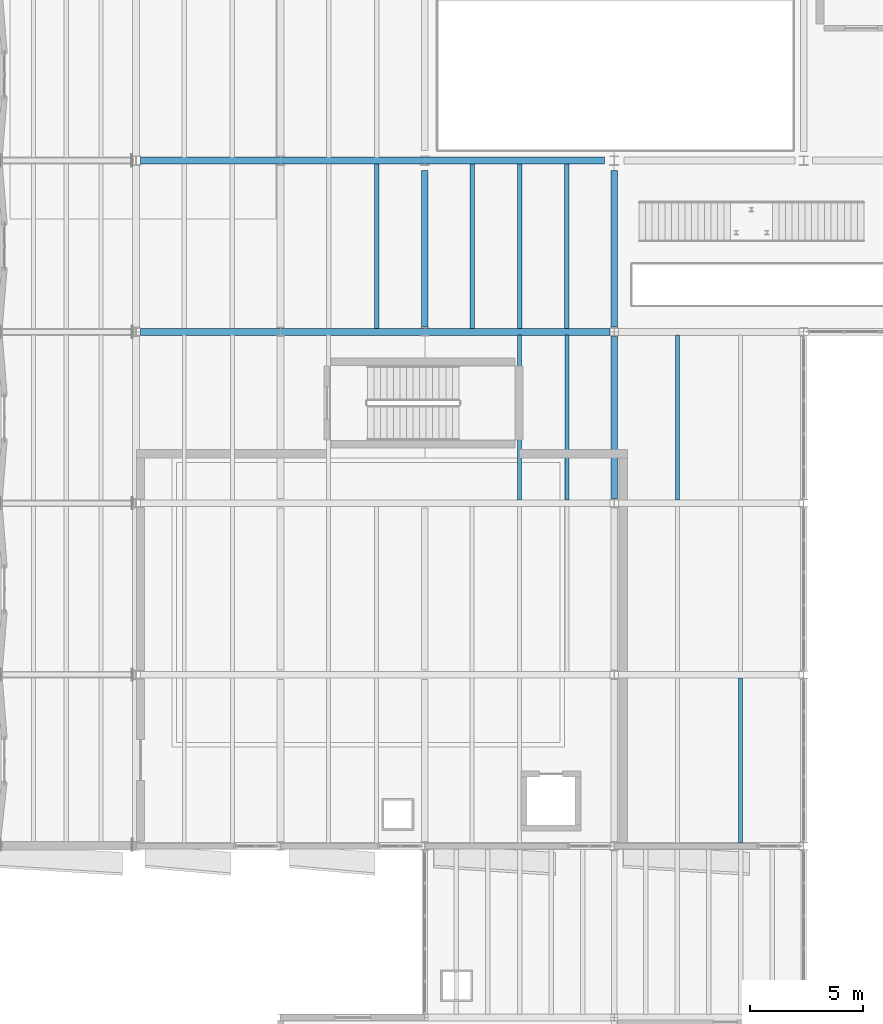
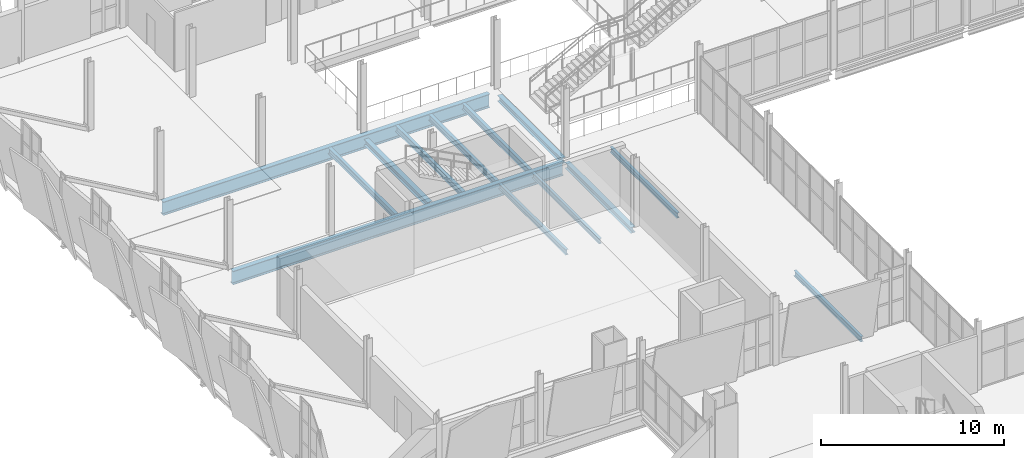
# One storey, part 36 of 172: 13 beams.
"""IFC4 building model written with IfcOpenShell, lengths in metres."""

import ifcopenshell
import ifcopenshell.guid

model = None  # the IFC model being written
_history = None  # IfcOwnerHistory: only IFC2X3 demands one
_inside = {}  # id of a spatial element -> (the spatial element, [elements in it])
_under = {}  # id of a project, library or spatial element -> (it, [spatial elements below it])
_declared = {}  # id of a project -> (the project, [libraries it declares])
_typed = {}  # id of a type object -> (the type object, [elements of that type])
_made_of = {}  # id of a material, layer set ... -> (it, [elements and type objects made of it])


def new_model(schema):
    """Start an empty IFC model of exactly this schema.

    Asked for "IFC4X3", IfcOpenShell would pick the latest addendum, in which some entities
    have other attributes; the version numbers below select the first issue.
    IFC2X3 requires an IfcOwnerHistory on every rooted entity: one is made here for all.
    """
    global model, _history
    if schema == "IFC4X3":
        model = ifcopenshell.file(schema_version=(4, 3, 0, 0))
    else:
        model = ifcopenshell.file(schema=schema)
    _inside.clear()
    _under.clear()
    _declared.clear()
    _typed.clear()
    _made_of.clear()
    _history = None
    if model.schema == "IFC2X3":
        org = make("IfcOrganization", Name="unknown")
        user = make(
            "IfcPersonAndOrganization",
            ThePerson=make("IfcPerson", FamilyName="unknown"),
            TheOrganization=org,
        )
        app = make(
            "IfcApplication",
            ApplicationDeveloper=org,
            Version="unknown",
            ApplicationFullName="unknown",
            ApplicationIdentifier="unknown",
        )
        _history = make(
            "IfcOwnerHistory",
            OwningUser=user,
            OwningApplication=app,
            ChangeAction="ADDED",
            CreationDate=0,
        )
    return model


def make(cls, **values):
    """One entity of the class cls with the attributes given. An attribute that is None is left unset."""
    return model.create_entity(
        cls, **{name: value for name, value in values.items() if value is not None}
    )


def rooted(cls, **values):
    """An entity with a GlobalId (a new one), such as an element, a storey or a relation."""
    return make(cls, GlobalId=ifcopenshell.guid.new(), OwnerHistory=_history, **values)


def si_unit(unit_type, name, prefix=None):
    """IfcSIUnit, for example si_unit("LENGTHUNIT", "METRE", prefix="MILLI")."""
    return make("IfcSIUnit", UnitType=unit_type, Prefix=prefix, Name=name)


def assignment(units):
    """IfcUnitAssignment: the units of a project."""
    return None if units is None else make("IfcUnitAssignment", Units=units)


def point(xyz):
    """IfcCartesianPoint."""
    return None if xyz is None else make("IfcCartesianPoint", Coordinates=xyz)


def direction(xyz):
    """IfcDirection."""
    return None if xyz is None else make("IfcDirection", DirectionRatios=xyz)


def frame(location, z_axis=None, x_axis=None):
    """IfcAxis2Placement3D, a coordinate frame: its origin and axes. An axis left out is left unset."""
    return make(
        "IfcAxis2Placement3D",
        Location=point(location),
        Axis=direction(z_axis),
        RefDirection=direction(x_axis),
    )


def frame_2d(location, x_axis=None):
    """IfcAxis2Placement2D, a coordinate frame in the plane: its origin and x axis."""
    return make(
        "IfcAxis2Placement2D", Location=point(location), RefDirection=direction(x_axis)
    )


def origin():
    """The frame at (0, 0, 0) with its axes left unset."""
    return frame((0.0, 0.0, 0.0))


def origin_2d():
    """The frame at (0, 0) in the plane with its x axis left unset."""
    return frame_2d((0.0, 0.0))


def place(relative_to, where):
    """IfcLocalPlacement: puts the frame where relative to a parent placement (None: the world)."""
    return make(
        "IfcLocalPlacement", PlacementRelTo=relative_to, RelativePlacement=where
    )


def context(
    kind, dimensions, precision=None, world=None, true_north=None, identifier=None
):
    """IfcGeometricRepresentationContext, for example the 3D "Model" context."""
    return make(
        "IfcGeometricRepresentationContext",
        ContextIdentifier=identifier,
        ContextType=kind,
        CoordinateSpaceDimension=dimensions,
        Precision=precision,
        WorldCoordinateSystem=world,
        TrueNorth=true_north,
    )


def subcontext(parent, identifier, kind, view, scale=None):
    """IfcGeometricRepresentationSubContext, for example "Body" below "Model"."""
    return make(
        "IfcGeometricRepresentationSubContext",
        ContextIdentifier=identifier,
        ContextType=kind,
        ParentContext=parent,
        TargetScale=scale,
        TargetView=view,
    )


def project(units=None, contexts=None):
    """IfcProject with its units and contexts."""
    return rooted(
        "IfcProject",
        Name="project",
        RepresentationContexts=contexts,
        UnitsInContext=assignment(units),
    )


def spatial(cls, under=None, at=None, **own):
    """A site, building, storey or space (cls), placed at a placement, below another one or the project."""
    s = rooted(cls, ObjectPlacement=at, **own)
    if under is not None:
        _under.setdefault(under.id(), (under, []))[1].append(s)
    return s


def profile(cls, at=None, kind="AREA", **sizes):
    """A parametric profile (cls). Its sizes go by their IFC names, for example OverallWidth=200.0."""
    return make(cls, ProfileType=kind, Position=at, **sizes)


def i_section(**sizes):
    """IfcIShapeProfileDef."""
    return profile("IfcIShapeProfileDef", **sizes)


def extrude(swept, where, along, depth):
    """IfcExtrudedAreaSolid: the profile swept, set in the frame where, extruded along a direction by depth."""
    return make(
        "IfcExtrudedAreaSolid",
        SweptArea=swept,
        Position=where,
        ExtrudedDirection=direction(along),
        Depth=depth,
    )


def shape(context_of_items, identifier, shape_type, items):
    """IfcShapeRepresentation: the items that make up one representation, for example the "Body"."""
    return make(
        "IfcShapeRepresentation",
        ContextOfItems=context_of_items,
        RepresentationIdentifier=identifier,
        RepresentationType=shape_type,
        Items=items,
    )


def material(Name=None, Category=None):
    """IfcMaterial."""
    return make("IfcMaterial", Name=Name, Category=Category)


def material_profile(
    of_material, cross_section, Name=None, Category=None, Priority=None
):
    """IfcMaterialProfile: a cross section and its material."""
    return make(
        "IfcMaterialProfile",
        Name=Name,
        Material=of_material,
        Profile=cross_section,
        Priority=Priority,
        Category=Category,
    )


def profile_set(profiles, Name=None, composite=None):
    """IfcMaterialProfileSet."""
    return make(
        "IfcMaterialProfileSet",
        Name=Name,
        MaterialProfiles=profiles,
        CompositeProfile=composite,
    )


def made_of(thing, what):
    """Note that an element or type object is made of a material, layer set ...; save() writes the relation."""
    if what is not None:
        _made_of.setdefault(what.id(), (what, []))[1].append(thing)
    return thing


def type_object(cls, material=None, **own):
    """A type object (cls), such as IfcWallType, which elements share."""
    return made_of(rooted(cls, **own), material)


def element(
    cls,
    number,
    at=None,
    inside=None,
    cuts=None,
    type_object=None,
    material=None,
    context=None,
    identifier="Body",
    shape_type=None,
    held_by="IfcProductDefinitionShape",
    body=None,
    shapes=None,
    **own,
):
    """One element of the class cls, such as IfcWall. Its Tag is "e" and its number.

    at: its placement. inside: the storey or other place that contains it. cuts: it is an
    opening in that element (IfcRelVoidsElement). A single representation is given by context,
    identifier, shape_type and body (its items); several are given by shapes. held_by: the class
    of the entity that holds the representations. save() writes the other relations.
    """
    e = rooted(cls, Tag="e%d" % number, ObjectPlacement=at, **own)
    if body is not None:
        shapes = [shape(context, identifier, shape_type, body)]
    if shapes is not None:
        e.Representation = make(held_by, Representations=shapes)
    if inside is not None:
        _inside.setdefault(inside.id(), (inside, []))[1].append(e)
    if cuts is not None:
        rooted(
            "IfcRelVoidsElement", RelatingBuildingElement=cuts, RelatedOpeningElement=e
        )
    if type_object is not None:
        _typed.setdefault(type_object.id(), (type_object, []))[1].append(e)
    return made_of(e, material)


def aggregate(whole, parts):
    """IfcRelAggregates: a whole, such as a stair, and the parts it consists of."""
    return rooted("IfcRelAggregates", RelatingObject=whole, RelatedObjects=parts)


def save(model, path):
    """Write the relations noted so far, then the file.

    IfcRelAggregates (storeys below a building ...), IfcRelContainedInSpatialStructure (elements
    in a storey), IfcRelDefinesByType, IfcRelAssociatesMaterial and IfcRelDeclares: one each for
    every whole, place, type object, material and project.
    """
    for whole, parts in _under.values():
        aggregate(whole, parts)
    for where, things in _inside.values():
        rooted(
            "IfcRelContainedInSpatialStructure",
            RelatedElements=things,
            RelatingStructure=where,
        )
    for kind, things in _typed.values():
        rooted("IfcRelDefinesByType", RelatedObjects=things, RelatingType=kind)
    for what, things in _made_of.values():
        rooted("IfcRelAssociatesMaterial", RelatedObjects=things, RelatingMaterial=what)
    for by, libraries in _declared.values():
        rooted("IfcRelDeclares", RelatingContext=by, RelatedDefinitions=libraries)
    model.write(path)


model = new_model("IFC4")

# Units and contexts
model_context = context("Model", 3, precision=1e-05, world=origin(), true_north=direction((0.0, 1.0)))
body_context = subcontext(model_context, "Body", "Model", "MODEL_VIEW")
ifc_project = project(units=[si_unit("LENGTHUNIT", "METRE"), si_unit("AREAUNIT", "SQUARE_METRE"), si_unit("VOLUMEUNIT", "CUBIC_METRE"), si_unit("PLANEANGLEUNIT", "RADIAN"), si_unit("MASSUNIT", "GRAM", prefix="KILO")], contexts=[model_context])

# Site, building, storey
site_placement = place(None, origin())
site = spatial("IfcSite", under=ifc_project, at=site_placement, CompositionType="ELEMENT")
building_placement = place(site_placement, origin())
building = spatial("IfcBuilding", under=site, at=building_placement, Name="Shengluoqiao Park Theatre", CompositionType="ELEMENT")
storey_placement = place(building_placement, frame((0.0, 0.0, 5.39990234375)))
storey = spatial("IfcBuildingStorey", under=building, at=storey_placement, Name="L01", CompositionType="ELEMENT", Elevation=5.39990234375)

# Beams
ifc_material_1 = material(Name="Steel Q355", Category="steel")
ifc_material_profile_1 = material_profile(ifc_material_1, i_section(OverallWidth=0.300048828125, OverallDepth=0.389892578125, WebThickness=0.010009765625, FlangeThickness=0.01611328125, FilletRadius=0.01806640625, at=origin_2d()), Name="HM 390x300x10x16")
ifc_profile_set_1 = profile_set([ifc_material_profile_1], Name="Steel Q355")
beam_type_1 = type_object("IfcBeamType", Name="STR-BM-G-HM390", PredefinedType="BEAM", material=ifc_profile_set_1)
beam_1_placement = place(storey_placement, frame((27.60009765625, 45.80810546875, -0.434814453125), z_axis=(0.0, 1.0, 0.0), x_axis=(-1.0, 0.0, 0.0)))
element("IfcBeam", 1, at=beam_1_placement, inside=storey, type_object=beam_type_1, Name="L01 Transverse Girder 00398", PredefinedType="BEAM", context=body_context, shape_type="SweptSolid", body=[
    extrude(i_section(OverallWidth=0.300048828125, OverallDepth=0.389892578125, WebThickness=0.010009765625, FlangeThickness=0.01611328125, FilletRadius=0.01806640625, at=origin_2d()), origin(), (0.0, 0.0, 1.0), 7.183837890625),
])
for number, where, z_axis, x_axis, name in (
    (2, (19.199951171875, 53.407958984375, -0.434814453125), (0.0, 1.0, 0.0), (-1.0, 0.0, 0.0), "L01 Transverse Girder 00463"),
    (3, (27.60009765625, 53.407958984375, -0.434814453125), (0.0, 1.0, 0.0), (-1.0, 0.0, 0.0), "L01 Transverse Girder 00466"),
):
    element("IfcBeam", number, at=place(storey_placement, frame(where, z_axis=z_axis, x_axis=x_axis)), inside=storey, type_object=beam_type_1, Name=name, PredefinedType="BEAM", context=body_context, shape_type="SweptSolid", body=[
        extrude(i_section(OverallWidth=0.300048828125, OverallDepth=0.389892578125, WebThickness=0.010009765625, FlangeThickness=0.01611328125, FilletRadius=0.01806640625, at=origin_2d()), origin(), (0.0, 0.0, 1.0), 6.947998046875),
    ])
ifc_material_2 = material(Name="Steel Q390", Category="steel")
ifc_material_profile_2 = material_profile(ifc_material_2, i_section(OverallWidth=0.300048828125, OverallDepth=0.89990234375, WebThickness=0.01611328125, FlangeThickness=0.028076171875, FilletRadius=0.028076171875, at=origin_2d()), Name="HN 900x300x16x28")
ifc_profile_set_2 = profile_set([ifc_material_profile_2], Name="Steel Q390")
beam_type_2 = type_object("IfcBeamType", Name="STR-BM-G-HN900", PredefinedType="BEAM", material=ifc_profile_set_2)
beam_2_placement = place(storey_placement, frame((6.591552734375, 53.199951171875, -0.68994140625), z_axis=(1.0, 0.0, 0.0), x_axis=(0.0, 1.0, 0.0)))
element("IfcBeam", 4, at=beam_2_placement, inside=storey, type_object=beam_type_2, Name="CT-V3-4 L01 Continuous Back-Span Chord", PredefinedType="BEAM", context=body_context, shape_type="SweptSolid", body=[
    extrude(i_section(OverallWidth=0.300048828125, OverallDepth=0.89990234375, WebThickness=0.01611328125, FlangeThickness=0.028076171875, FilletRadius=0.028076171875, at=origin_2d()), origin(), (0.0, 0.0, 1.0), 20.81689453125),
])
beam_3_placement = place(storey_placement, frame((6.590576171875, 60.800048828125, -0.68994140625), z_axis=(1.0, 0.0, 0.0), x_axis=(0.0, 1.0, 0.0)))
element("IfcBeam", 5, at=beam_3_placement, inside=storey, type_object=beam_type_2, Name="CT-V5-1 L01 Continuous Back-Span Chord", PredefinedType="BEAM", context=body_context, shape_type="SweptSolid", body=[
    extrude(i_section(OverallWidth=0.300048828125, OverallDepth=0.89990234375, WebThickness=0.01611328125, FlangeThickness=0.028076171875, FilletRadius=0.028076171875, at=origin_2d()), origin(), (0.0, 0.0, 1.0), 20.571533203125),
])
ifc_material_profile_3 = material_profile(ifc_material_1, i_section(OverallWidth=0.175048828125, OverallDepth=0.35009765625, WebThickness=0.007080078125, FlangeThickness=0.010986328125, FilletRadius=0.013916015625, at=origin_2d()), Name="HN 350x175x7x11")
ifc_profile_set_3 = profile_set([ifc_material_profile_3], Name="Steel Q355")
beam_type_3 = type_object("IfcBeamType", Name="STR-BM-J-HN350", PredefinedType="JOIST", material=ifc_profile_set_3)
for number, where, z_axis, x_axis, name in (
    (6, (23.39990234375, 45.7451171875, -0.414794921875), (0.0, 1.0, 0.0), (-1.0, 0.0, 0.0), "L01 Composite Joist 00407"),
    (7, (25.5, 45.7451171875, -0.414794921875), (0.0, 1.0, 0.0), (-1.0, 0.0, 0.0), "L01 Composite Joist 00408"),
):
    element("IfcBeam", number, at=place(storey_placement, frame(where, z_axis=z_axis, x_axis=x_axis)), inside=storey, type_object=beam_type_3, Name=name, PredefinedType="JOIST", context=body_context, shape_type="SweptSolid", body=[
        extrude(i_section(OverallWidth=0.175048828125, OverallDepth=0.35009765625, WebThickness=0.007080078125, FlangeThickness=0.010986328125, FilletRadius=0.013916015625, at=origin_2d()), origin(), (0.0, 0.0, 1.0), 7.309814453125),
    ])
beam_4_placement = place(storey_placement, frame((33.199951171875, 30.544921875, -0.414794921875), z_axis=(0.0, 1.0, 0.0), x_axis=(-1.0, 0.0, 0.0)))
element("IfcBeam", 8, at=beam_4_placement, inside=storey, type_object=beam_type_3, Name="L01 Composite Joist 00410", PredefinedType="JOIST", context=body_context, shape_type="SweptSolid", body=[
    extrude(i_section(OverallWidth=0.175048828125, OverallDepth=0.35009765625, WebThickness=0.007080078125, FlangeThickness=0.010986328125, FilletRadius=0.013916015625, at=origin_2d()), origin(), (0.0, 0.0, 1.0), 7.31005859375),
])
beam_5_placement = place(storey_placement, frame((30.39990234375, 45.7451171875, -0.414794921875), z_axis=(0.0, 1.0, 0.0), x_axis=(-1.0, 0.0, 0.0)))
element("IfcBeam", 9, at=beam_5_placement, inside=storey, type_object=beam_type_3, Name="L01 Composite Joist 00413", PredefinedType="JOIST", context=body_context, shape_type="SweptSolid", body=[
    extrude(i_section(OverallWidth=0.175048828125, OverallDepth=0.35009765625, WebThickness=0.007080078125, FlangeThickness=0.010986328125, FilletRadius=0.013916015625, at=origin_2d()), origin(), (0.0, 0.0, 1.0), 7.309814453125),
])
ifc_material_profile_4 = material_profile(ifc_material_1, i_section(OverallWidth=0.199951171875, OverallDepth=0.39990234375, WebThickness=0.008056640625, FlangeThickness=0.012939453125, FilletRadius=0.01611328125, at=origin_2d()), Name="HN 400x200x8x13")
ifc_profile_set_4 = profile_set([ifc_material_profile_4], Name="Steel Q355")
beam_type_4 = type_object("IfcBeamType", Name="STR-BM-J-HN400", PredefinedType="JOIST", material=ifc_profile_set_4)
for number, where, z_axis, x_axis, name in (
    (10, (17.066650390625, 53.344970703125, -0.43994140625), (0.0, 1.0, 0.0), (-1.0, 0.0, 0.0), "L01 Composite Joist 00475"),
    (11, (21.300048828125, 53.344970703125, -0.43994140625), (0.0, 1.0, 0.0), (-1.0, 0.0, 0.0), "L01 Composite Joist 00480"),
    (12, (23.39990234375, 53.344970703125, -0.43994140625), (0.0, 1.0, 0.0), (-1.0, 0.0, 0.0), "L01 Composite Joist 00481"),
    (13, (25.5, 53.344970703125, -0.43994140625), (0.0, 1.0, 0.0), (-1.0, 0.0, 0.0), "L01 Composite Joist 00482"),
):
    element("IfcBeam", number, at=place(storey_placement, frame(where, z_axis=z_axis, x_axis=x_axis)), inside=storey, type_object=beam_type_4, Name=name, PredefinedType="JOIST", context=body_context, shape_type="SweptSolid", body=[
        extrude(i_section(OverallWidth=0.199951171875, OverallDepth=0.39990234375, WebThickness=0.008056640625, FlangeThickness=0.012939453125, FilletRadius=0.01611328125, at=origin_2d()), origin(), (0.0, 0.0, 1.0), 7.31005859375),
    ])

save(model, "model.ifc")
